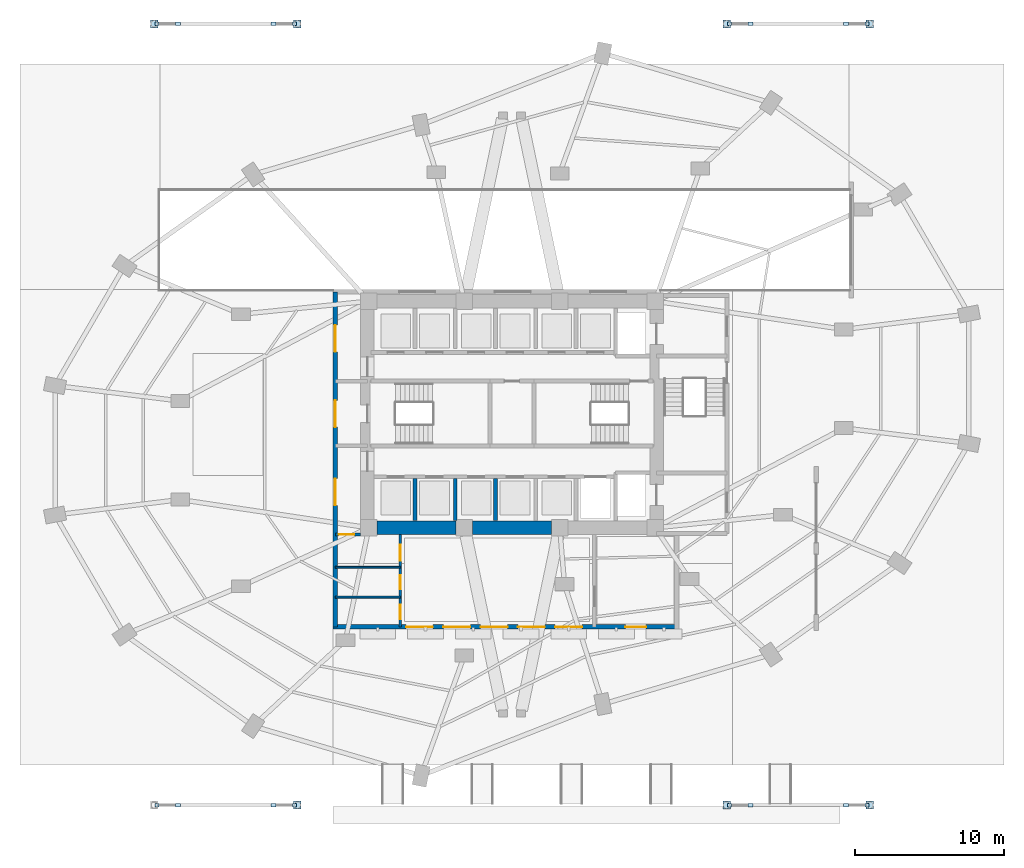
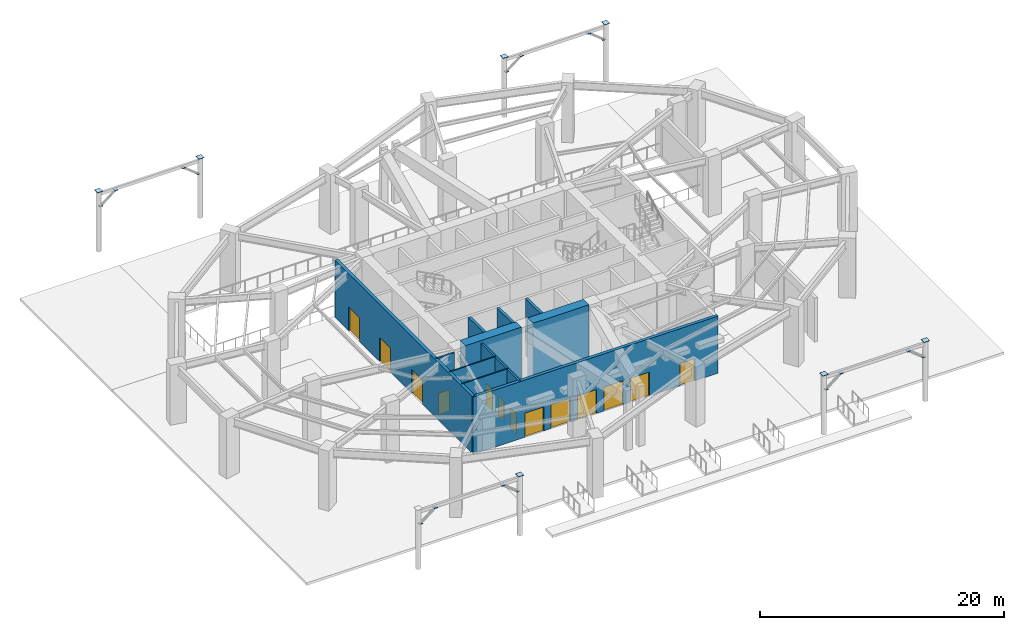
# One storey, part 8 of 14: 23 plates, 13 doors, 11 walls, 13 openings.
"""IFC4 building model written with IfcOpenShell, lengths in metres."""

from ifc_helpers import new_model, si_unit, direction, frame, frame_2d, origin, origin_2d, place, context, subcontext, project, spatial, rectangle, extrude, material, layer, layer_set, type_object, element, fill, save


model = new_model("IFC4")

# Units and contexts
model_context = context("Model", 3, precision=1e-05, world=origin(), true_north=direction((0.0, 1.0)))
body_context = subcontext(model_context, "Body", "Model", "MODEL_VIEW")
ifc_project = project(units=[si_unit("LENGTHUNIT", "METRE"), si_unit("AREAUNIT", "SQUARE_METRE"), si_unit("VOLUMEUNIT", "CUBIC_METRE"), si_unit("PLANEANGLEUNIT", "RADIAN"), si_unit("MASSUNIT", "GRAM", prefix="KILO")], contexts=[model_context])

# Site, building, storey
site_placement = place(None, origin())
site = spatial("IfcSite", under=ifc_project, at=site_placement, CompositionType="ELEMENT")
building_placement = place(site_placement, origin())
building = spatial("IfcBuilding", under=site, at=building_placement, Name="Lazwardi Medical Tower", CompositionType="ELEMENT")
storey_placement = place(building_placement, origin())
storey = spatial("IfcBuildingStorey", under=building, at=storey_placement, Name="L00", CompositionType="ELEMENT", Elevation=0.0)

# Plates
ifc_material_1 = material(Name="Steel S355", Category="steel")
ifc_layer_1 = layer(ifc_material_1, 0.031982421875)
ifc_layer_set_1 = layer_set([ifc_layer_1], Name="Steel S355")
plate_type = type_object("IfcPlateType", Name="PLT-GUS-02", PredefinedType="USERDEFINED", material=ifc_layer_set_1)
for number, where, z_axis, x_axis, name in (
    (1, (21.60009765625, 1.800048828125, 5.9677734375), (0.0, 0.0, 1.0), (1.0, 0.0, 0.0), "Entrance canopy column cap plate GP-02 CN2"),
    (2, (50.39990234375, 1.800048828125, 5.9677734375), (0.0, 0.0, 1.0), (1.0, 0.0, 0.0), "Entrance canopy column cap plate GP-02 CN3"),
    (3, (60.0, 1.800048828125, 5.9677734375), (0.0, 0.0, 1.0), (1.0, 0.0, 0.0), "Entrance canopy column cap plate GP-02 CN4"),
    (4, (12.0, 54.199951171875, 5.9677734375), (0.0, 0.0, 1.0), (1.0, 0.0, 0.0), "Entrance canopy column cap plate GP-02 CN5"),
    (5, (21.60009765625, 54.199951171875, 5.9677734375), (0.0, 0.0, 1.0), (1.0, 0.0, 0.0), "Entrance canopy column cap plate GP-02 CN6"),
    (6, (50.39990234375, 54.199951171875, 5.9677734375), (0.0, 0.0, 1.0), (1.0, 0.0, 0.0), "Entrance canopy column cap plate GP-02 CN7"),
    (7, (60.0, 54.199951171875, 5.9677734375), (0.0, 0.0, 1.0), (1.0, 0.0, 0.0), "Entrance canopy column cap plate GP-02 CN8"),
):
    element("IfcPlate", number, at=place(storey_placement, frame(where, z_axis=z_axis, x_axis=x_axis)), inside=storey, type_object=plate_type, Name=name, ObjectType="GUSSET_PLATE", PredefinedType="USERDEFINED", context=body_context, shape_type="SweptSolid", body=[
        extrude(rectangle(XDim=0.52001953125, YDim=0.52001953125, at=origin_2d()), origin(), (0.0, 0.0, 1.0), 0.031982421875),
    ])
plate_1_placement = place(storey_placement, frame((12.195068359375, 1.800048828125, 4.3837890625), z_axis=(0.0, 0.0, 1.0), x_axis=(1.0, 0.0, 0.0)))
element("IfcPlate", 8, at=plate_1_placement, inside=storey, type_object=plate_type, Name="Canopy brace gusset GP-02 CNB1A bot", ObjectType="GUSSET_PLATE", PredefinedType="USERDEFINED", context=body_context, shape_type="SweptSolid", body=[
    extrude(rectangle(XDim=0.280029296875, YDim=0.239990234375, at=origin_2d()), origin(), (0.0, 0.0, 1.0), 0.031982421875),
])
plate_2_placement = place(storey_placement, frame((13.60009765625, 1.800048828125, 5.48876953125), z_axis=(0.0, 0.0, 1.0), x_axis=(1.0, 0.0, 0.0)))
element("IfcPlate", 9, at=plate_2_placement, inside=storey, type_object=plate_type, Name="Canopy brace gusset GP-02 CNB1A top", ObjectType="GUSSET_PLATE", PredefinedType="USERDEFINED", context=body_context, shape_type="SweptSolid", body=[
    extrude(rectangle(XDim=0.320068359375, YDim=0.239990234375, at=origin_2d()), origin(), (0.0, 0.0, 1.0), 0.031982421875),
])
plate_3_placement = place(storey_placement, frame((21.405029296875, 1.800048828125, 4.3837890625), z_axis=(0.0, 0.0, 1.0), x_axis=(1.0, 0.0, 0.0)))
element("IfcPlate", 10, at=plate_3_placement, inside=storey, type_object=plate_type, Name="Canopy brace gusset GP-02 CNB1B bot", ObjectType="GUSSET_PLATE", PredefinedType="USERDEFINED", context=body_context, shape_type="SweptSolid", body=[
    extrude(rectangle(XDim=0.280029296875, YDim=0.239990234375, at=origin_2d()), origin(), (0.0, 0.0, 1.0), 0.031982421875),
])
plate_4_placement = place(storey_placement, frame((20.0, 1.800048828125, 5.48876953125), z_axis=(0.0, 0.0, 1.0), x_axis=(1.0, 0.0, 0.0)))
element("IfcPlate", 11, at=plate_4_placement, inside=storey, type_object=plate_type, Name="Canopy brace gusset GP-02 CNB1B top", ObjectType="GUSSET_PLATE", PredefinedType="USERDEFINED", context=body_context, shape_type="SweptSolid", body=[
    extrude(rectangle(XDim=0.320068359375, YDim=0.239990234375, at=origin_2d()), origin(), (0.0, 0.0, 1.0), 0.031982421875),
])
plate_5_placement = place(storey_placement, frame((50.594970703125, 1.800048828125, 4.3837890625), z_axis=(0.0, 0.0, 1.0), x_axis=(1.0, 0.0, 0.0)))
element("IfcPlate", 12, at=plate_5_placement, inside=storey, type_object=plate_type, Name="Canopy brace gusset GP-02 CNB2A bot", ObjectType="GUSSET_PLATE", PredefinedType="USERDEFINED", context=body_context, shape_type="SweptSolid", body=[
    extrude(rectangle(XDim=0.280029296875, YDim=0.239990234375, at=origin_2d()), origin(), (0.0, 0.0, 1.0), 0.031982421875),
])
plate_6_placement = place(storey_placement, frame((52.0, 1.800048828125, 5.48876953125), z_axis=(0.0, 0.0, 1.0), x_axis=(1.0, 0.0, 0.0)))
element("IfcPlate", 13, at=plate_6_placement, inside=storey, type_object=plate_type, Name="Canopy brace gusset GP-02 CNB2A top", ObjectType="GUSSET_PLATE", PredefinedType="USERDEFINED", context=body_context, shape_type="SweptSolid", body=[
    extrude(rectangle(XDim=0.320068359375, YDim=0.239990234375, at=origin_2d()), origin(), (0.0, 0.0, 1.0), 0.031982421875),
])
plate_7_placement = place(storey_placement, frame((59.804931640625, 1.800048828125, 4.3837890625), z_axis=(0.0, 0.0, 1.0), x_axis=(1.0, 0.0, 0.0)))
element("IfcPlate", 14, at=plate_7_placement, inside=storey, type_object=plate_type, Name="Canopy brace gusset GP-02 CNB2B bot", ObjectType="GUSSET_PLATE", PredefinedType="USERDEFINED", context=body_context, shape_type="SweptSolid", body=[
    extrude(rectangle(XDim=0.280029296875, YDim=0.239990234375, at=origin_2d()), origin(), (0.0, 0.0, 1.0), 0.031982421875),
])
plate_8_placement = place(storey_placement, frame((58.39990234375, 1.800048828125, 5.48876953125), z_axis=(0.0, 0.0, 1.0), x_axis=(1.0, 0.0, 0.0)))
element("IfcPlate", 15, at=plate_8_placement, inside=storey, type_object=plate_type, Name="Canopy brace gusset GP-02 CNB2B top", ObjectType="GUSSET_PLATE", PredefinedType="USERDEFINED", context=body_context, shape_type="SweptSolid", body=[
    extrude(rectangle(XDim=0.320068359375, YDim=0.239990234375, at=origin_2d()), origin(), (0.0, 0.0, 1.0), 0.031982421875),
])
plate_9_placement = place(storey_placement, frame((12.195068359375, 54.199951171875, 4.3837890625), z_axis=(0.0, 0.0, 1.0), x_axis=(1.0, 0.0, 0.0)))
element("IfcPlate", 16, at=plate_9_placement, inside=storey, type_object=plate_type, Name="Canopy brace gusset GP-02 CNB3A bot", ObjectType="GUSSET_PLATE", PredefinedType="USERDEFINED", context=body_context, shape_type="SweptSolid", body=[
    extrude(rectangle(XDim=0.280029296875, YDim=0.239990234375, at=origin_2d()), origin(), (0.0, 0.0, 1.0), 0.031982421875),
])
plate_10_placement = place(storey_placement, frame((13.60009765625, 54.199951171875, 5.48876953125), z_axis=(0.0, 0.0, 1.0), x_axis=(1.0, 0.0, 0.0)))
element("IfcPlate", 17, at=plate_10_placement, inside=storey, type_object=plate_type, Name="Canopy brace gusset GP-02 CNB3A top", ObjectType="GUSSET_PLATE", PredefinedType="USERDEFINED", context=body_context, shape_type="SweptSolid", body=[
    extrude(rectangle(XDim=0.320068359375, YDim=0.239990234375, at=origin_2d()), origin(), (0.0, 0.0, 1.0), 0.031982421875),
])
plate_11_placement = place(storey_placement, frame((21.405029296875, 54.199951171875, 4.3837890625), z_axis=(0.0, 0.0, 1.0), x_axis=(1.0, 0.0, 0.0)))
element("IfcPlate", 18, at=plate_11_placement, inside=storey, type_object=plate_type, Name="Canopy brace gusset GP-02 CNB3B bot", ObjectType="GUSSET_PLATE", PredefinedType="USERDEFINED", context=body_context, shape_type="SweptSolid", body=[
    extrude(rectangle(XDim=0.280029296875, YDim=0.239990234375, at=origin_2d()), origin(), (0.0, 0.0, 1.0), 0.031982421875),
])
plate_12_placement = place(storey_placement, frame((20.0, 54.199951171875, 5.48876953125), z_axis=(0.0, 0.0, 1.0), x_axis=(1.0, 0.0, 0.0)))
element("IfcPlate", 19, at=plate_12_placement, inside=storey, type_object=plate_type, Name="Canopy brace gusset GP-02 CNB3B top", ObjectType="GUSSET_PLATE", PredefinedType="USERDEFINED", context=body_context, shape_type="SweptSolid", body=[
    extrude(rectangle(XDim=0.320068359375, YDim=0.239990234375, at=origin_2d()), origin(), (0.0, 0.0, 1.0), 0.031982421875),
])
plate_13_placement = place(storey_placement, frame((50.594970703125, 54.199951171875, 4.3837890625), z_axis=(0.0, 0.0, 1.0), x_axis=(1.0, 0.0, 0.0)))
element("IfcPlate", 20, at=plate_13_placement, inside=storey, type_object=plate_type, Name="Canopy brace gusset GP-02 CNB4A bot", ObjectType="GUSSET_PLATE", PredefinedType="USERDEFINED", context=body_context, shape_type="SweptSolid", body=[
    extrude(rectangle(XDim=0.280029296875, YDim=0.239990234375, at=origin_2d()), origin(), (0.0, 0.0, 1.0), 0.031982421875),
])
plate_14_placement = place(storey_placement, frame((52.0, 54.199951171875, 5.48876953125), z_axis=(0.0, 0.0, 1.0), x_axis=(1.0, 0.0, 0.0)))
element("IfcPlate", 21, at=plate_14_placement, inside=storey, type_object=plate_type, Name="Canopy brace gusset GP-02 CNB4A top", ObjectType="GUSSET_PLATE", PredefinedType="USERDEFINED", context=body_context, shape_type="SweptSolid", body=[
    extrude(rectangle(XDim=0.320068359375, YDim=0.239990234375, at=origin_2d()), origin(), (0.0, 0.0, 1.0), 0.031982421875),
])
plate_15_placement = place(storey_placement, frame((59.804931640625, 54.199951171875, 4.3837890625), z_axis=(0.0, 0.0, 1.0), x_axis=(1.0, 0.0, 0.0)))
element("IfcPlate", 22, at=plate_15_placement, inside=storey, type_object=plate_type, Name="Canopy brace gusset GP-02 CNB4B bot", ObjectType="GUSSET_PLATE", PredefinedType="USERDEFINED", context=body_context, shape_type="SweptSolid", body=[
    extrude(rectangle(XDim=0.280029296875, YDim=0.239990234375, at=origin_2d()), origin(), (0.0, 0.0, 1.0), 0.031982421875),
])
plate_16_placement = place(storey_placement, frame((58.39990234375, 54.199951171875, 5.48876953125), z_axis=(0.0, 0.0, 1.0), x_axis=(1.0, 0.0, 0.0)))
element("IfcPlate", 23, at=plate_16_placement, inside=storey, type_object=plate_type, Name="Canopy brace gusset GP-02 CNB4B top", ObjectType="GUSSET_PLATE", PredefinedType="USERDEFINED", context=body_context, shape_type="SweptSolid", body=[
    extrude(rectangle(XDim=0.320068359375, YDim=0.239990234375, at=origin_2d()), origin(), (0.0, 0.0, 1.0), 0.031982421875),
])

# Wall, openings, doors
ifc_material_2 = material(Name="Fire-rated gypsum board on steel stud", Category="steel")
ifc_layer_2 = layer(ifc_material_2, 0.179931640625)
ifc_layer_set_2 = layer_set([ifc_layer_2], Name="Fire-rated gypsum board on steel stud")
wall_type_1 = type_object("IfcWallType", Name="WL-COR-180", PredefinedType="PARTITIONING", material=ifc_layer_set_2)
wall_1_placement = place(storey_placement, frame((28.510009765625, 13.75, 0.0), z_axis=(0.0, 0.0, 1.0), x_axis=(0.0, 1.0, 0.0)))
wall_1 = element("IfcWall", 24, at=wall_1_placement, inside=storey, type_object=wall_type_1, Name="L00 Triage & WC East wall", PredefinedType="PARTITIONING", context=body_context, shape_type="SweptSolid", body=[
    extrude(rectangle(XDim=6.199951171875, YDim=0.179931640625, at=frame_2d((3.10009765625, 0.0))), origin(), (0.0, 0.0, 1.0), 5.719970703125),
])
opening_1_placement = place(wall_1_placement, frame((0.5, 0.0, 0.0)))
opening_1 = element("IfcOpeningElement", 25, at=opening_1_placement, cuts=wall_1, Name="Opening D-L00-001", PredefinedType="OPENING", context=body_context, shape_type="SweptSolid", body=[
    extrude(rectangle(XDim=1.0, YDim=2.10009765625, at=frame_2d((0.5, 1.050048828125))), frame((0.0, 0.099853515625, 0.0), z_axis=(0.0, -1.0, 0.0), x_axis=(1.0, 0.0, 0.0)), (0.0, 0.0, 1.0), 0.199951171875),
])
opening_2_placement = place(wall_1_placement, frame((2.52001953125, 0.0, 0.0)))
opening_2 = element("IfcOpeningElement", 26, at=opening_2_placement, cuts=wall_1, Name="Opening D-L00-008", PredefinedType="OPENING", context=body_context, shape_type="SweptSolid", body=[
    extrude(rectangle(XDim=0.949951171875, YDim=2.10009765625, at=frame_2d((0.47509765625, 1.050048828125))), frame((0.0, 0.099853515625, 0.0), z_axis=(0.0, -1.0, 0.0), x_axis=(1.0, 0.0, 0.0)), (0.0, 0.0, 1.0), 0.199951171875),
])
opening_3_placement = place(wall_1_placement, frame((4.449951171875, 0.0, 0.0)))
opening_3 = element("IfcOpeningElement", 27, at=opening_3_placement, cuts=wall_1, Name="Opening D-L00-012", PredefinedType="OPENING", context=body_context, shape_type="SweptSolid", body=[
    extrude(rectangle(XDim=1.050048828125, YDim=2.14990234375, at=frame_2d((0.52490234375, 1.074951171875))), frame((0.0, 0.099853515625, 0.0), z_axis=(0.0, -1.0, 0.0), x_axis=(1.0, 0.0, 0.0)), (0.0, 0.0, 1.0), 0.199951171875),
])
ifc_material_3 = material(Name="Moisture-resistant laminate door leaf")
door_type_1 = type_object("IfcDoorType", Name="DR-AWC-1000", OperationType="NOTDEFINED", PredefinedType="DOOR", material=ifc_material_3)
door_1_placement = place(opening_1_placement, origin())
door_1 = element("IfcDoor", 28, at=door_1_placement, inside=storey, type_object=door_type_1, Name="L00 Accessible WC Door", OperationType="SINGLE_SWING_LEFT", OverallHeight=2.10009765625, OverallWidth=1.0, PredefinedType="DOOR", context=body_context, shape_type="SweptSolid", body=[
    extrude(rectangle(XDim=1.0, YDim=2.10009765625, at=frame_2d((0.5, 1.050048828125))), frame((0.0, 0.02490234375, 0.0), z_axis=(0.0, -1.0, 0.0), x_axis=(1.0, 0.0, 0.0)), (0.0, 0.0, 1.0), 0.050048828125),
])
fill(opening_1, door_1)
ifc_material_4 = material(Name="Anti-microbial laminate hospital leaf")
door_type_2 = type_object("IfcDoorType", Name="DR-CLN-1050", OperationType="NOTDEFINED", PredefinedType="DOOR", material=ifc_material_4)
door_2_placement = place(opening_3_placement, origin())
door_2 = element("IfcDoor", 29, at=door_2_placement, inside=storey, type_object=door_type_2, Name="L00 Emergency Triage Door", OperationType="SINGLE_SWING_LEFT", OverallHeight=2.14990234375, OverallWidth=1.050048828125, PredefinedType="DOOR", context=body_context, shape_type="SweptSolid", body=[
    extrude(rectangle(XDim=1.050048828125, YDim=2.14990234375, at=frame_2d((0.52490234375, 1.074951171875))), frame((0.0, 0.02490234375, 0.0), z_axis=(0.0, -1.0, 0.0), x_axis=(1.0, 0.0, 0.0)), (0.0, 0.0, 1.0), 0.050048828125),
])
fill(opening_3, door_2)
door_type_3 = type_object("IfcDoorType", Name="DR-ENS-950", OperationType="NOTDEFINED", PredefinedType="DOOR", material=ifc_material_3)
door_3_placement = place(opening_2_placement, origin())
door_3 = element("IfcDoor", 30, at=door_3_placement, inside=storey, type_object=door_type_3, Name="L00 Public WC Door", OperationType="SINGLE_SWING_RIGHT", OverallHeight=2.10009765625, OverallWidth=0.949951171875, PredefinedType="DOOR", context=body_context, shape_type="SweptSolid", body=[
    extrude(rectangle(XDim=0.949951171875, YDim=2.10009765625, at=frame_2d((0.47509765625, 1.050048828125))), frame((0.0, 0.02490234375, 0.0), z_axis=(0.0, -1.0, 0.0), x_axis=(1.0, 0.0, 0.0)), (0.0, 0.0, 1.0), 0.050048828125),
])
fill(opening_2, door_3)

# Wall, opening, door
wall_2_placement = place(storey_placement, frame((24.14990234375, 19.949951171875, 0.0), z_axis=(0.0, 0.0, 1.0), x_axis=(1.0, 0.0, 0.0)))
wall_2 = element("IfcWall", 31, at=wall_2_placement, inside=storey, type_object=wall_type_1, Name="L00 Triage North wall", PredefinedType="PARTITIONING", context=body_context, shape_type="SweptSolid", body=[
    extrude(rectangle(XDim=1.7001953125, YDim=0.179931640625, at=frame_2d((0.85009765625, 0.0))), origin(), (0.0, 0.0, 1.0), 5.719970703125),
])
opening_4_placement = place(wall_2_placement, frame((0.219970703125, 0.0, 0.0)))
opening_4 = element("IfcOpeningElement", 32, at=opening_4_placement, cuts=wall_2, Name="Opening D-L00-013", PredefinedType="OPENING", context=body_context, shape_type="SweptSolid", body=[
    extrude(rectangle(XDim=1.050048828125, YDim=2.14990234375, at=frame_2d((0.52490234375, 1.074951171875))), frame((0.0, 0.099853515625, 0.0), z_axis=(0.0, -1.0, 0.0), x_axis=(1.0, 0.0, 0.0)), (0.0, 0.0, 1.0), 0.199951171875),
])
door_4_placement = place(opening_4_placement, origin())
door_4 = element("IfcDoor", 33, at=door_4_placement, inside=storey, type_object=door_type_2, Name="L00 South Lift Vestibule Door", OperationType="SINGLE_SWING_LEFT", OverallHeight=2.14990234375, OverallWidth=1.050048828125, PredefinedType="DOOR", context=body_context, shape_type="SweptSolid", body=[
    extrude(rectangle(XDim=1.050048828125, YDim=2.14990234375, at=frame_2d((0.52490234375, 1.074951171875))), frame((0.0, 0.02490234375, 0.0), z_axis=(0.0, -1.0, 0.0), x_axis=(1.0, 0.0, 0.0)), (0.0, 0.0, 1.0), 0.050048828125),
])
fill(opening_4, door_4)

# Walls
ifc_material_5 = material(Name="Concrete C80/95", Category="concrete")
ifc_layer_3 = layer(ifc_material_5, 0.89990234375)
ifc_layer_set_3 = layer_set([ifc_layer_3], Name="Concrete C80/95")
wall_type_2 = type_object("IfcWallType", Name="WL-CORE-900", PredefinedType="SHEAR", material=ifc_layer_set_3)
wall_3_placement = place(storey_placement, frame((26.949951171875, 20.39990234375, 0.0), z_axis=(0.0, 0.0, 1.0), x_axis=(1.0, 0.0, 0.0)))
element("IfcWall", 34, at=wall_3_placement, inside=storey, type_object=wall_type_2, Name="Core wall CW-S1 S1 L00", PredefinedType="SHEAR", context=body_context, shape_type="SweptSolid", body=[
    extrude(rectangle(XDim=5.300048828125, YDim=0.89990234375, at=frame_2d((2.64990234375, 0.0))), origin(), (0.0, 0.0, 1.0), 6.0),
])
wall_4_placement = place(storey_placement, frame((33.35009765625, 20.39990234375, 0.0), z_axis=(0.0, 0.0, 1.0), x_axis=(1.0, 0.0, 0.0)))
element("IfcWall", 35, at=wall_4_placement, inside=storey, type_object=wall_type_2, Name="Core wall CW-S1 S2 L00", PredefinedType="SHEAR", context=body_context, shape_type="SweptSolid", body=[
    extrude(rectangle(XDim=5.2998046875, YDim=0.89990234375, at=frame_2d((2.64990234375, 0.0))), origin(), (0.0, 0.0, 1.0), 6.0),
])
ifc_material_6 = material(Name="Moisture-resistant gypsum board partition")
ifc_layer_4 = layer(ifc_material_6, 0.125)
ifc_layer_set_4 = layer_set([ifc_layer_4], Name="Moisture-resistant gypsum board partition")
wall_type_3 = type_object("IfcWallType", Name="WL-ENS-125", PredefinedType="PARTITIONING", material=ifc_layer_set_4)
for number, where, z_axis, x_axis, name in (
    (36, (24.14990234375, 15.75, 0.0), (0.0, 0.0, 1.0), (1.0, 0.0, 0.0), "L00 West service divider 15.75"),
    (37, (24.14990234375, 17.75, 0.0), (0.0, 0.0, 1.0), (1.0, 0.0, 0.0), "L00 West service divider 17.75"),
):
    element("IfcWall", number, at=place(storey_placement, frame(where, z_axis=z_axis, x_axis=x_axis)), inside=storey, type_object=wall_type_3, Name=name, PredefinedType="PARTITIONING", context=body_context, shape_type="SweptSolid", body=[
        extrude(rectangle(XDim=4.360107421875, YDim=0.125, at=frame_2d((2.18017578125, 0.0))), origin(), (0.0, 0.0, 1.0), 5.719970703125),
    ])

# Wall, openings, doors
ifc_material_7 = material(Name="Precast concrete C45/55", Category="concrete")
ifc_layer_5 = layer(ifc_material_7, 0.300048828125)
ifc_layer_set_5 = layer_set([ifc_layer_5], Name="Precast concrete C45/55")
wall_type_4 = type_object("IfcWallType", Name="WL-LOBBY-300", PredefinedType="SOLIDWALL", material=ifc_layer_set_5)
wall_5_placement = place(storey_placement, frame((24.14990234375, 13.75, 0.0), z_axis=(0.0, 0.0, 1.0), x_axis=(0.0, 1.0, 0.0)))
wall_5 = element("IfcWall", 38, at=wall_5_placement, inside=storey, type_object=wall_type_4, Name="L00 West Lobby Exterior Wall", PredefinedType="SOLIDWALL", context=body_context, shape_type="SweptSolid", body=[
    extrude(rectangle(XDim=22.47998046875, YDim=0.300048828125, at=frame_2d((11.239990234375, 0.0))), origin(), (0.0, 0.0, 1.0), 5.719970703125),
])
opening_5_placement = place(wall_5_placement, frame((8.14990234375, 0.0, 0.0)))
opening_5 = element("IfcOpeningElement", 39, at=opening_5_placement, cuts=wall_5, Name="Opening D-L00-014", PredefinedType="OPENING", context=body_context, shape_type="SweptSolid", body=[
    extrude(rectangle(XDim=1.800048828125, YDim=2.39990234375, at=frame_2d((0.89990234375, 1.199951171875))), frame((0.0, 0.159912109375, 0.0), z_axis=(0.0, -1.0, 0.0), x_axis=(1.0, 0.0, 0.0)), (0.0, 0.0, 1.0), 0.320068359375),
])
opening_6_placement = place(wall_5_placement, frame((13.39990234375, 0.0, 0.0)))
opening_6 = element("IfcOpeningElement", 40, at=opening_6_placement, cuts=wall_5, Name="Opening D-L00-021", PredefinedType="OPENING", context=body_context, shape_type="SweptSolid", body=[
    extrude(rectangle(XDim=1.800048828125, YDim=2.39990234375, at=frame_2d((0.89990234375, 1.199951171875))), frame((0.0, 0.159912109375, 0.0), z_axis=(0.0, -1.0, 0.0), x_axis=(1.0, 0.0, 0.0)), (0.0, 0.0, 1.0), 0.320068359375),
])
opening_7_placement = place(wall_5_placement, frame((18.449951171875, 0.0, 0.0)))
opening_7 = element("IfcOpeningElement", 41, at=opening_7_placement, cuts=wall_5, Name="Opening D-L00-022", PredefinedType="OPENING", context=body_context, shape_type="SweptSolid", body=[
    extrude(rectangle(XDim=1.800048828125, YDim=2.39990234375, at=frame_2d((0.89990234375, 1.199951171875))), frame((0.0, 0.159912109375, 0.0), z_axis=(0.0, -1.0, 0.0), x_axis=(1.0, 0.0, 0.0)), (0.0, 0.0, 1.0), 0.320068359375),
])
ifc_material_8 = material(Name="Anodised bronze aluminium and laminated glass", Category="aluminium")
door_type_4 = type_object("IfcDoorType", Name="DR-EXT-1800", OperationType="NOTDEFINED", PredefinedType="DOOR", material=ifc_material_8)
door_5_placement = place(opening_5_placement, origin())
door_5 = element("IfcDoor", 42, at=door_5_placement, inside=storey, type_object=door_type_4, Name="L00 South-West Lift Vestibule Final Exit Door", OperationType="DOUBLE_DOOR_SINGLE_SWING", OverallHeight=2.39990234375, OverallWidth=1.800048828125, PredefinedType="DOOR", context=body_context, shape_type="SweptSolid", body=[
    extrude(rectangle(XDim=1.800048828125, YDim=2.39990234375, at=frame_2d((0.89990234375, 1.199951171875))), frame((0.0, 0.02490234375, 0.0), z_axis=(0.0, -1.0, 0.0), x_axis=(1.0, 0.0, 0.0)), (0.0, 0.0, 1.0), 0.050048828125),
])
fill(opening_5, door_5)
door_6_placement = place(opening_6_placement, origin())
door_6 = element("IfcDoor", 43, at=door_6_placement, inside=storey, type_object=door_type_4, Name="L00 West Exit Passage Final Exit Door", OperationType="DOUBLE_DOOR_SINGLE_SWING", OverallHeight=2.39990234375, OverallWidth=1.800048828125, PredefinedType="DOOR", context=body_context, shape_type="SweptSolid", body=[
    extrude(rectangle(XDim=1.800048828125, YDim=2.39990234375, at=frame_2d((0.89990234375, 1.199951171875))), frame((0.0, 0.02490234375, 0.0), z_axis=(0.0, -1.0, 0.0), x_axis=(1.0, 0.0, 0.0)), (0.0, 0.0, 1.0), 0.050048828125),
])
fill(opening_6, door_6)
door_7_placement = place(opening_7_placement, origin())
door_7 = element("IfcDoor", 44, at=door_7_placement, inside=storey, type_object=door_type_4, Name="L00 North-West Exit Vestibule Final Exit Door", OperationType="DOUBLE_DOOR_SINGLE_SWING", OverallHeight=2.39990234375, OverallWidth=1.800048828125, PredefinedType="DOOR", context=body_context, shape_type="SweptSolid", body=[
    extrude(rectangle(XDim=1.800048828125, YDim=2.39990234375, at=frame_2d((0.89990234375, 1.199951171875))), frame((0.0, 0.02490234375, 0.0), z_axis=(0.0, -1.0, 0.0), x_axis=(1.0, 0.0, 0.0)), (0.0, 0.0, 1.0), 0.050048828125),
])
fill(opening_7, door_7)

wall_6_placement = place(storey_placement, frame((47.199951171875, 13.75, 0.0), z_axis=(0.0, 0.0, 1.0), x_axis=(-1.0, 0.0, 0.0)))
wall_6 = element("IfcWall", 45, at=wall_6_placement, inside=storey, type_object=wall_type_4, Name="L00 South Main Entrance Exterior Wall", PredefinedType="SOLIDWALL", context=body_context, shape_type="SweptSolid", body=[
    extrude(rectangle(XDim=23.199951171875, YDim=0.300048828125, at=frame_2d((11.60009765625, 0.0))), origin(), (0.0, 0.0, 1.0), 5.719970703125),
])
opening_8_placement = place(wall_6_placement, frame((2.199951171875, 0.0, 0.0)))
opening_8 = element("IfcOpeningElement", 46, at=opening_8_placement, cuts=wall_6, Name="Opening D-L00-015", PredefinedType="OPENING", context=body_context, shape_type="SweptSolid", body=[
    extrude(rectangle(XDim=1.39990234375, YDim=2.25, at=frame_2d((0.699951171875, 1.125))), frame((0.0, 0.159912109375, 0.0), z_axis=(0.0, -1.0, 0.0), x_axis=(1.0, 0.0, 0.0)), (0.0, 0.0, 1.0), 0.320068359375),
])
opening_9_placement = place(wall_6_placement, frame((6.5, 0.0, 0.0)))
opening_9 = element("IfcOpeningElement", 47, at=opening_9_placement, cuts=wall_6, Name="Opening D-L00-016", PredefinedType="OPENING", context=body_context, shape_type="SweptSolid", body=[
    extrude(rectangle(XDim=1.800048828125, YDim=2.39990234375, at=frame_2d((0.89990234375, 1.199951171875))), frame((0.0, 0.159912109375, 0.0), z_axis=(0.0, -1.0, 0.0), x_axis=(1.0, 0.0, 0.0)), (0.0, 0.0, 1.0), 0.320068359375),
])
opening_10_placement = place(wall_6_placement, frame((9.0, 0.0, 0.0)))
opening_10 = element("IfcOpeningElement", 48, at=opening_10_placement, cuts=wall_6, Name="Opening D-L00-017", PredefinedType="OPENING", context=body_context, shape_type="SweptSolid", body=[
    extrude(rectangle(XDim=1.800048828125, YDim=2.39990234375, at=frame_2d((0.89990234375, 1.199951171875))), frame((0.0, 0.159912109375, 0.0), z_axis=(0.0, -1.0, 0.0), x_axis=(1.0, 0.0, 0.0)), (0.0, 0.0, 1.0), 0.320068359375),
])
opening_11_placement = place(wall_6_placement, frame((11.5, 0.0, 0.0)))
opening_11 = element("IfcOpeningElement", 49, at=opening_11_placement, cuts=wall_6, Name="Opening D-L00-018", PredefinedType="OPENING", context=body_context, shape_type="SweptSolid", body=[
    extrude(rectangle(XDim=1.800048828125, YDim=2.39990234375, at=frame_2d((0.89990234375, 1.199951171875))), frame((0.0, 0.159912109375, 0.0), z_axis=(0.0, -1.0, 0.0), x_axis=(1.0, 0.0, 0.0)), (0.0, 0.0, 1.0), 0.320068359375),
])
opening_12_placement = place(wall_6_placement, frame((14.0, 0.0, 0.0)))
opening_12 = element("IfcOpeningElement", 50, at=opening_12_placement, cuts=wall_6, Name="Opening D-L00-019", PredefinedType="OPENING", context=body_context, shape_type="SweptSolid", body=[
    extrude(rectangle(XDim=1.800048828125, YDim=2.39990234375, at=frame_2d((0.89990234375, 1.199951171875))), frame((0.0, 0.159912109375, 0.0), z_axis=(0.0, -1.0, 0.0), x_axis=(1.0, 0.0, 0.0)), (0.0, 0.0, 1.0), 0.320068359375),
])
opening_13_placement = place(wall_6_placement, frame((16.5, 0.0, 0.0)))
opening_13 = element("IfcOpeningElement", 51, at=opening_13_placement, cuts=wall_6, Name="Opening D-L00-020", PredefinedType="OPENING", context=body_context, shape_type="SweptSolid", body=[
    extrude(rectangle(XDim=1.800048828125, YDim=2.39990234375, at=frame_2d((0.89990234375, 1.199951171875))), frame((0.0, 0.159912109375, 0.0), z_axis=(0.0, -1.0, 0.0), x_axis=(1.0, 0.0, 0.0)), (0.0, 0.0, 1.0), 0.320068359375),
])
door_type_5 = type_object("IfcDoorType", Name="DR-EXT-1400", OperationType="NOTDEFINED", PredefinedType="DOOR", material=ifc_material_8)
door_8_placement = place(opening_8_placement, origin())
door_8 = element("IfcDoor", 52, at=door_8_placement, inside=storey, type_object=door_type_5, Name="L00 Fire Command Centre Exterior Door", OperationType="SINGLE_SWING_LEFT", OverallHeight=2.25, OverallWidth=1.39990234375, PredefinedType="DOOR", context=body_context, shape_type="SweptSolid", body=[
    extrude(rectangle(XDim=1.39990234375, YDim=2.25, at=frame_2d((0.699951171875, 1.125))), frame((0.0, 0.02490234375, 0.0), z_axis=(0.0, -1.0, 0.0), x_axis=(1.0, 0.0, 0.0)), (0.0, 0.0, 1.0), 0.050048828125),
])
fill(opening_8, door_8)
door_9_placement = place(opening_9_placement, origin())
door_9 = element("IfcDoor", 53, at=door_9_placement, inside=storey, type_object=door_type_4, Name="L00 Main Entrance Final Exit Door 1", OperationType="DOUBLE_DOOR_SINGLE_SWING", OverallHeight=2.39990234375, OverallWidth=1.800048828125, PredefinedType="DOOR", context=body_context, shape_type="SweptSolid", body=[
    extrude(rectangle(XDim=1.800048828125, YDim=2.39990234375, at=frame_2d((0.89990234375, 1.199951171875))), frame((0.0, 0.02490234375, 0.0), z_axis=(0.0, -1.0, 0.0), x_axis=(1.0, 0.0, 0.0)), (0.0, 0.0, 1.0), 0.050048828125),
])
fill(opening_9, door_9)
door_10_placement = place(opening_10_placement, origin())
door_10 = element("IfcDoor", 54, at=door_10_placement, inside=storey, type_object=door_type_4, Name="L00 Main Entrance Final Exit Door 2", OperationType="DOUBLE_DOOR_SINGLE_SWING", OverallHeight=2.39990234375, OverallWidth=1.800048828125, PredefinedType="DOOR", context=body_context, shape_type="SweptSolid", body=[
    extrude(rectangle(XDim=1.800048828125, YDim=2.39990234375, at=frame_2d((0.89990234375, 1.199951171875))), frame((0.0, 0.02490234375, 0.0), z_axis=(0.0, -1.0, 0.0), x_axis=(1.0, 0.0, 0.0)), (0.0, 0.0, 1.0), 0.050048828125),
])
fill(opening_10, door_10)
door_11_placement = place(opening_11_placement, origin())
door_11 = element("IfcDoor", 55, at=door_11_placement, inside=storey, type_object=door_type_4, Name="L00 Main Entrance Final Exit Door 3", OperationType="DOUBLE_DOOR_SINGLE_SWING", OverallHeight=2.39990234375, OverallWidth=1.800048828125, PredefinedType="DOOR", context=body_context, shape_type="SweptSolid", body=[
    extrude(rectangle(XDim=1.800048828125, YDim=2.39990234375, at=frame_2d((0.89990234375, 1.199951171875))), frame((0.0, 0.02490234375, 0.0), z_axis=(0.0, -1.0, 0.0), x_axis=(1.0, 0.0, 0.0)), (0.0, 0.0, 1.0), 0.050048828125),
])
fill(opening_11, door_11)
door_12_placement = place(opening_12_placement, origin())
door_12 = element("IfcDoor", 56, at=door_12_placement, inside=storey, type_object=door_type_4, Name="L00 Main Entrance Final Exit Door 4", OperationType="DOUBLE_DOOR_SINGLE_SWING", OverallHeight=2.39990234375, OverallWidth=1.800048828125, PredefinedType="DOOR", context=body_context, shape_type="SweptSolid", body=[
    extrude(rectangle(XDim=1.800048828125, YDim=2.39990234375, at=frame_2d((0.89990234375, 1.199951171875))), frame((0.0, 0.02490234375, 0.0), z_axis=(0.0, -1.0, 0.0), x_axis=(1.0, 0.0, 0.0)), (0.0, 0.0, 1.0), 0.050048828125),
])
fill(opening_12, door_12)
door_13_placement = place(opening_13_placement, origin())
door_13 = element("IfcDoor", 57, at=door_13_placement, inside=storey, type_object=door_type_4, Name="L00 Main Entrance Final Exit Door 5", OperationType="DOUBLE_DOOR_SINGLE_SWING", OverallHeight=2.39990234375, OverallWidth=1.800048828125, PredefinedType="DOOR", context=body_context, shape_type="SweptSolid", body=[
    extrude(rectangle(XDim=1.800048828125, YDim=2.39990234375, at=frame_2d((0.89990234375, 1.199951171875))), frame((0.0, 0.02490234375, 0.0), z_axis=(0.0, -1.0, 0.0), x_axis=(1.0, 0.0, 0.0)), (0.0, 0.0, 1.0), 0.050048828125),
])
fill(opening_13, door_13)

# Walls
ifc_material_9 = material(Name="Autoclaved aerated concrete blockwork", Category="masonry")
ifc_layer_6 = layer(ifc_material_9, 0.25)
ifc_layer_set_6 = layer_set([ifc_layer_6], Name="Autoclaved aerated concrete blockwork")
wall_type_5 = type_object("IfcWallType", Name="WL-SHAFT-250", PredefinedType="SOLIDWALL", material=ifc_layer_set_6)
for number, where, z_axis, x_axis, name in (
    (58, (29.5, 20.89990234375, 0.0), (0.0, 0.0, 1.0), (0.0, 1.0, 0.0), "L00 South hoistway divider"),
    (59, (32.199951171875, 20.89990234375, 0.0), (0.0, 0.0, 1.0), (0.0, 1.0, 0.0), "L00 South hoistway divider"),
    (60, (34.89990234375, 20.89990234375, 0.0), (0.0, 0.0, 1.0), (0.0, 1.0, 0.0), "L00 South hoistway divider"),
):
    element("IfcWall", number, at=place(storey_placement, frame(where, z_axis=z_axis, x_axis=x_axis)), inside=storey, type_object=wall_type_5, Name=name, PredefinedType="SOLIDWALL", context=body_context, shape_type="SweptSolid", body=[
        extrude(rectangle(XDim=2.800048828125, YDim=0.25, at=frame_2d((1.39990234375, 0.0))), origin(), (0.0, 0.0, 1.0), 5.719970703125),
    ])

save(model, "model.ifc")
